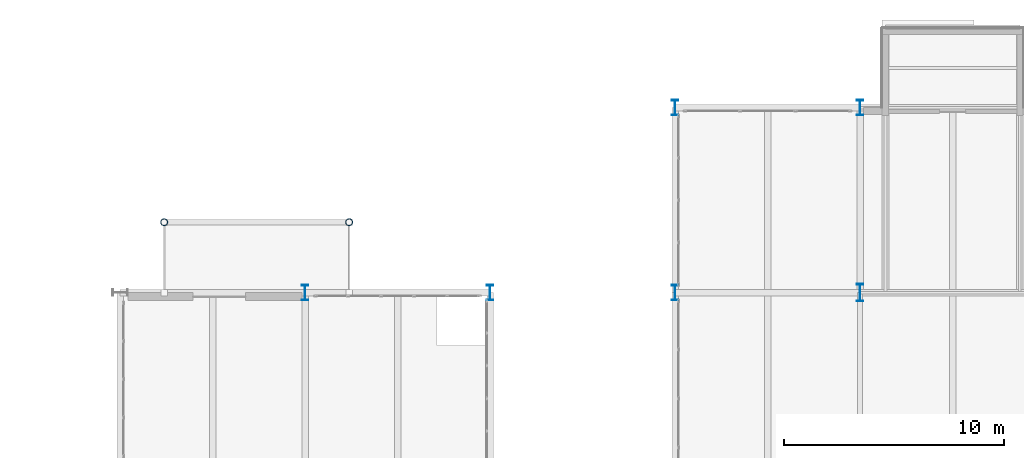
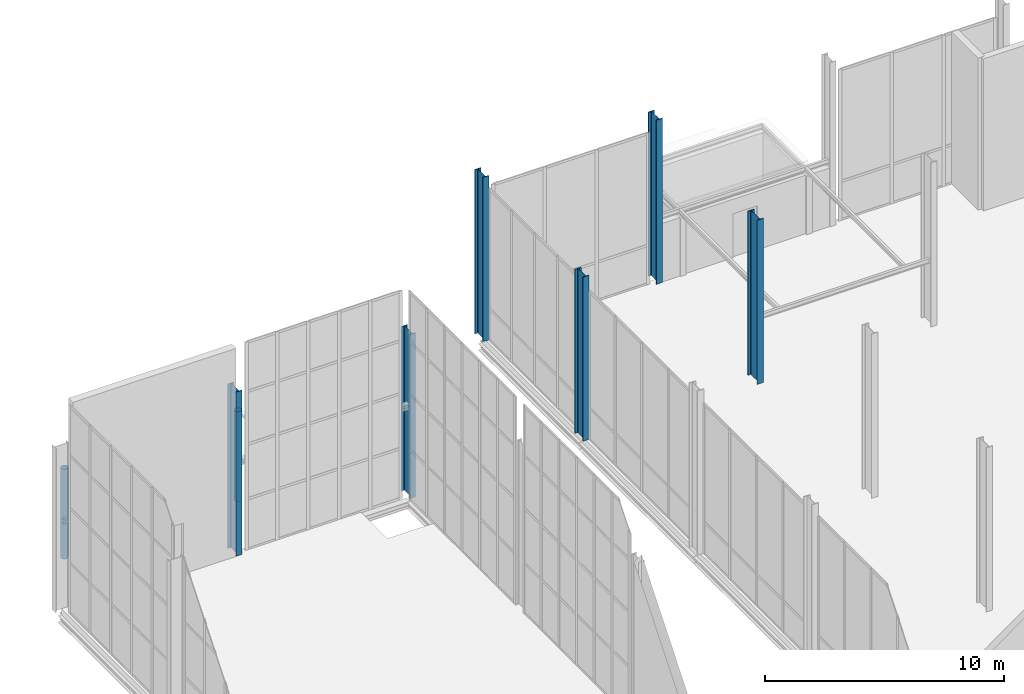
# One storey, part 10 of 131: 8 columns.
"""IFC4 building model written with IfcOpenShell, lengths in metres."""

from ifc_helpers import new_model, si_unit, direction, frame, origin, origin_2d, place, context, subcontext, project, spatial, hollow_circle, i_section, extrude, material, material_profile, profile_set, type_object, element, save


model = new_model("IFC4")

# Units and contexts
model_context = context("Model", 3, precision=1e-05, world=origin(), true_north=direction((0.0, 1.0)))
body_context = subcontext(model_context, "Body", "Model", "MODEL_VIEW")
ifc_project = project(units=[si_unit("LENGTHUNIT", "METRE"), si_unit("AREAUNIT", "SQUARE_METRE"), si_unit("VOLUMEUNIT", "CUBIC_METRE"), si_unit("PLANEANGLEUNIT", "RADIAN"), si_unit("MASSUNIT", "GRAM", prefix="KILO")], contexts=[model_context])

# Site, building, storey
site_placement = place(None, origin())
site = spatial("IfcSite", under=ifc_project, at=site_placement, CompositionType="ELEMENT")
building_placement = place(site_placement, origin())
building = spatial("IfcBuilding", under=site, at=building_placement, Name="Veltarok Museum of Natural Sciences", CompositionType="ELEMENT")
storey_placement = place(building_placement, origin())
storey = spatial("IfcBuildingStorey", under=building, at=storey_placement, Name="L00", CompositionType="ELEMENT", Elevation=0.0)

# Columns
ifc_material = material(Name="Steel S355J2", Category="steel")
ifc_material_profile_1 = material_profile(ifc_material, hollow_circle(Radius=0.161865234375, WallThickness=0.01611328125, at=origin_2d()), Name="CHS 323.9x16")
ifc_profile_set_1 = profile_set([ifc_material_profile_1], Name="Steel S355J2")
column_type_1 = type_object("IfcColumnType", Name="Canopy Support Column CHS 323.9x16", PredefinedType="COLUMN", material=ifc_profile_set_1)
for number, where, z_axis, x_axis, name in (
    (1, (33.60009765625, 104.0, 0.0), (0.0, 0.0, 1.0), (1.0, 0.0, 0.0), "Entrance Canopy Column CN-N1"),
    (2, (42.0, 104.0, 0.0), (0.0, 0.0, 1.0), (1.0, 0.0, 0.0), "Entrance Canopy Column CN-N2"),
):
    element("IfcColumn", number, at=place(storey_placement, frame(where, z_axis=z_axis, x_axis=x_axis)), inside=storey, type_object=column_type_1, Name=name, PredefinedType="COLUMN", context=body_context, shape_type="SweptSolid", body=[
        extrude(hollow_circle(Radius=0.161865234375, WallThickness=0.01611328125, at=origin_2d()), origin(), (0.0, 0.0, 1.0), 4.60009765625),
    ])
ifc_material_profile_2 = material_profile(ifc_material, i_section(OverallWidth=0.300048828125, OverallDepth=0.699951171875, WebThickness=0.01708984375, FlangeThickness=0.031982421875, FilletRadius=0.027099609375, at=origin_2d()), Name="HEB 700")
ifc_profile_set_2 = profile_set([ifc_material_profile_2], Name="Steel S355J2")
column_type_2 = type_object("IfcColumnType", Name="Perimeter Steel Column HEB 700", PredefinedType="COLUMN", material=ifc_profile_set_2)
for number, where, z_axis, x_axis, name in (
    (3, (40.0, 100.800048828125, 0.0), (0.0, 0.0, 1.0), (1.0, 0.0, 0.0), "Column COL-EXT01 L00 5/L"),
    (4, (48.39990234375, 100.800048828125, 0.0), (0.0, 0.0, 1.0), (1.0, 0.0, 0.0), "Column COL-EXT01 L00 6/L"),
    (5, (56.800048828125, 100.800048828125, 0.0), (0.0, 0.0, 1.0), (1.0, 0.0, 0.0), "Column COL-EXT01 L00 7/L"),
    (6, (56.800048828125, 109.199951171875, 0.0), (0.0, 0.0, 1.0), (1.0, 0.0, 0.0), "Column COL-EXT01 L00 7/M"),
    (7, (65.199951171875, 109.199951171875, 0.0), (0.0, 0.0, 1.0), (1.0, 0.0, 0.0), "Column COL-EXT01 L00 8/M"),
):
    element("IfcColumn", number, at=place(storey_placement, frame(where, z_axis=z_axis, x_axis=x_axis)), inside=storey, type_object=column_type_2, Name=name, PredefinedType="COLUMN", context=body_context, shape_type="SweptSolid", body=[
        extrude(i_section(OverallWidth=0.300048828125, OverallDepth=0.699951171875, WebThickness=0.01708984375, FlangeThickness=0.031982421875, FilletRadius=0.027099609375, at=origin_2d()), origin(), (0.0, 0.0, 1.0), 8.39990234375),
    ])
ifc_material_profile_3 = material_profile(ifc_material, i_section(OverallWidth=0.300048828125, OverallDepth=0.800048828125, WebThickness=0.017578125, FlangeThickness=0.032958984375, FilletRadius=0.030029296875, at=origin_2d()), Name="HEB 800")
ifc_profile_set_3 = profile_set([ifc_material_profile_3], Name="Steel S355J2")
column_type_3 = type_object("IfcColumnType", Name="Primary Frame Column HEB 800", PredefinedType="COLUMN", material=ifc_profile_set_3)
column_placement = place(storey_placement, frame((65.199951171875, 100.800048828125, 0.0), z_axis=(0.0, 0.0, 1.0), x_axis=(1.0, 0.0, 0.0)))
element("IfcColumn", 8, at=column_placement, inside=storey, type_object=column_type_3, Name="Column COL-S02 L00 8/L", PredefinedType="COLUMN", context=body_context, shape_type="SweptSolid", body=[
    extrude(i_section(OverallWidth=0.300048828125, OverallDepth=0.800048828125, WebThickness=0.017578125, FlangeThickness=0.032958984375, FilletRadius=0.030029296875, at=origin_2d()), origin(), (0.0, 0.0, 1.0), 8.39990234375),
])

save(model, "model.ifc")
